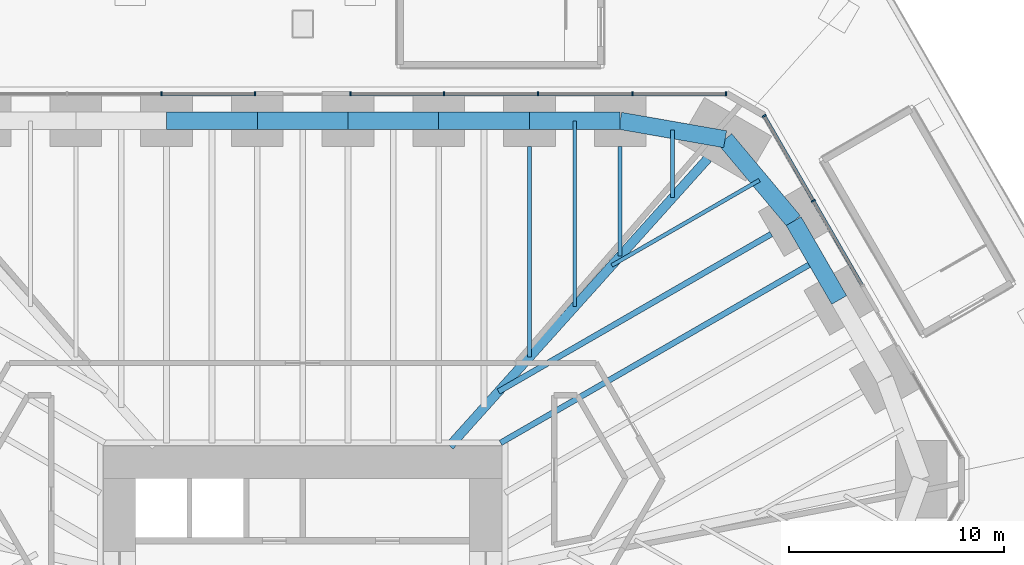
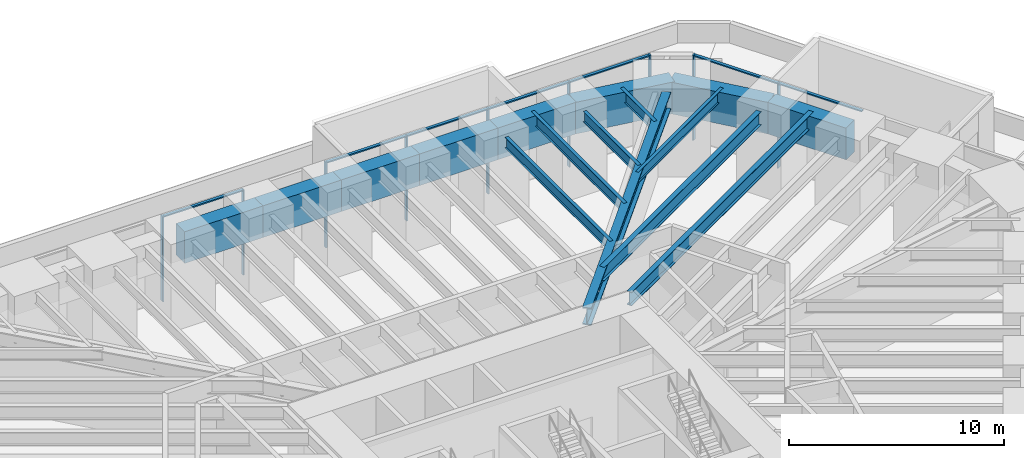
# One storey, part 7 of 20: 16 beams, 16 members, 3 elements without a shape of their own.
"""IFC4 building model written with IfcOpenShell, lengths in metres."""

from ifc_helpers import new_model, si_unit, direction, frame, origin, origin_2d, place, context, subcontext, project, spatial, rectangle, i_section, extrude, material, material_profile, profile_set, type_object, element, aggregate, save


model = new_model("IFC4")

# Units and contexts
model_context = context("Model", 3, precision=1e-05, world=origin(), true_north=direction((0.0, 1.0)))
body_context = subcontext(model_context, "Body", "Model", "MODEL_VIEW")
ifc_project = project(units=[si_unit("LENGTHUNIT", "METRE"), si_unit("AREAUNIT", "SQUARE_METRE"), si_unit("VOLUMEUNIT", "CUBIC_METRE"), si_unit("PLANEANGLEUNIT", "RADIAN"), si_unit("MASSUNIT", "GRAM", prefix="KILO")], contexts=[model_context])

# Site, building, storey
site_placement = place(None, origin())
site = spatial("IfcSite", under=ifc_project, at=site_placement, CompositionType="ELEMENT")
building_placement = place(site_placement, origin())
building = spatial("IfcBuilding", under=site, at=building_placement, Name="Sandreach Pilgrim Tower", CompositionType="ELEMENT")
storey_placement = place(building_placement, frame((0.0, 0.0, 18.0)))
storey = spatial("IfcBuildingStorey", under=building, at=storey_placement, Name="L03", CompositionType="ELEMENT", Elevation=18.0)

# Curtain wall, members
ifc_material_1 = material(Name="Aluminium framed curtain wall", Category="aluminium")
curtain_wall_type = type_object("IfcCurtainWallType", Name="Podium storefront curtain wall", PredefinedType="NOTDEFINED", material=ifc_material_1)
curtain_wall_1_placement = place(storey_placement, origin())
curtain_wall_1 = element("IfcCurtainWall", 1, at=curtain_wall_1_placement, inside=storey, type_object=curtain_wall_type, Name="CW-P L03 NA", PredefinedType="NOTDEFINED")
ifc_material_2 = material(Name="Aluminium extrusion", Category="aluminium")
ifc_material_profile_1 = material_profile(ifc_material_2, rectangle(XDim=0.070068359375, YDim=0.199951171875, at=origin_2d()), Name="CW-PM 70X200")
ifc_profile_set_1 = profile_set([ifc_material_profile_1], Name="Aluminium extrusion")
member_type_1 = type_object("IfcMemberType", Name="CW-P mullion", PredefinedType="MULLION", material=ifc_profile_set_1)
member_1_placement = place(storey_placement, frame((-6.557373046875, 23.94873046875, 0.0), z_axis=(0.0, 0.0, 1.0), x_axis=(1.0, 0.0, 0.0)))
member_1 = element("IfcMember", 2, at=member_1_placement, type_object=member_type_1, Name="CW-P mullion 4", PredefinedType="MULLION", context=body_context, shape_type="SweptSolid", body=[
    extrude(rectangle(XDim=0.070068359375, YDim=0.199951171875, at=origin_2d()), origin(), (0.0, 0.0, 1.0), 4.840087890625),
])
member_2_placement = place(storey_placement, frame((-2.220703125, 23.94873046875, 0.0), z_axis=(0.0, 0.0, 1.0), x_axis=(1.0, 0.0, 0.0)))
member_2 = element("IfcMember", 3, at=member_2_placement, type_object=member_type_1, Name="CW-P mullion 5", PredefinedType="MULLION", context=body_context, shape_type="SweptSolid", body=[
    extrude(rectangle(XDim=0.070068359375, YDim=0.199951171875, at=origin_2d()), origin(), (0.0, 0.0, 1.0), 4.840087890625),
])

curtain_wall_2_placement = place(storey_placement, origin())
curtain_wall_2 = element("IfcCurtainWall", 4, at=curtain_wall_2_placement, inside=storey, type_object=curtain_wall_type, Name="CW-P L03 NB", PredefinedType="NOTDEFINED")
member_3_placement = place(storey_placement, frame((2.220703125, 23.94873046875, 0.0), z_axis=(0.0, 0.0, 1.0), x_axis=(1.0, 0.0, 0.0)))
member_3 = element("IfcMember", 5, at=member_3_placement, type_object=member_type_1, Name="CW-P mullion 1", PredefinedType="MULLION", context=body_context, shape_type="SweptSolid", body=[
    extrude(rectangle(XDim=0.070068359375, YDim=0.199951171875, at=origin_2d()), origin(), (0.0, 0.0, 1.0), 4.840087890625),
])
member_4_placement = place(storey_placement, frame((6.557373046875, 23.94873046875, 0.0), z_axis=(0.0, 0.0, 1.0), x_axis=(1.0, 0.0, 0.0)))
member_4 = element("IfcMember", 6, at=member_4_placement, type_object=member_type_1, Name="CW-P mullion 2", PredefinedType="MULLION", context=body_context, shape_type="SweptSolid", body=[
    extrude(rectangle(XDim=0.070068359375, YDim=0.199951171875, at=origin_2d()), origin(), (0.0, 0.0, 1.0), 4.840087890625),
])
member_5_placement = place(storey_placement, frame((10.928955078125, 23.94873046875, 0.0), z_axis=(0.0, 0.0, 1.0), x_axis=(1.0, 0.0, 0.0)))
member_5 = element("IfcMember", 7, at=member_5_placement, type_object=member_type_1, Name="CW-P mullion 3", PredefinedType="MULLION", context=body_context, shape_type="SweptSolid", body=[
    extrude(rectangle(XDim=0.070068359375, YDim=0.199951171875, at=origin_2d()), origin(), (0.0, 0.0, 1.0), 4.840087890625),
])
member_6_placement = place(storey_placement, frame((15.300537109375, 23.94873046875, 0.0), z_axis=(0.0, 0.0, 1.0), x_axis=(1.0, 0.0, 0.0)))
member_6 = element("IfcMember", 8, at=member_6_placement, type_object=member_type_1, Name="CW-P mullion 4", PredefinedType="MULLION", context=body_context, shape_type="SweptSolid", body=[
    extrude(rectangle(XDim=0.070068359375, YDim=0.199951171875, at=origin_2d()), origin(), (0.0, 0.0, 1.0), 4.840087890625),
])
member_7_placement = place(storey_placement, frame((19.63720703125, 23.94873046875, 0.0), z_axis=(0.0, 0.0, 1.0), x_axis=(1.0, 0.0, 0.0)))
member_7 = element("IfcMember", 9, at=member_7_placement, type_object=member_type_1, Name="CW-P mullion 5", PredefinedType="MULLION", context=body_context, shape_type="SweptSolid", body=[
    extrude(rectangle(XDim=0.070068359375, YDim=0.199951171875, at=origin_2d()), origin(), (0.0, 0.0, 1.0), 4.840087890625),
])

curtain_wall_3_placement = place(storey_placement, origin())
curtain_wall_3 = element("IfcCurtainWall", 10, at=curtain_wall_3_placement, inside=storey, type_object=curtain_wall_type, Name="CW-P L03 NEA", PredefinedType="NOTDEFINED")
member_8_placement = place(storey_placement, frame((21.421630859375, 22.91845703125, 0.0), z_axis=(0.0, 0.0, 1.0), x_axis=(0.5, -0.866025403784, 0.0)))
member_8 = element("IfcMember", 11, at=member_8_placement, type_object=member_type_1, Name="CW-P mullion 1", PredefinedType="MULLION", context=body_context, shape_type="SweptSolid", body=[
    extrude(rectangle(XDim=0.070068359375, YDim=0.199951171875, at=origin_2d()), origin(), (0.0, 0.0, 1.0), 4.840087890625),
])
member_9_placement = place(storey_placement, frame((23.697265625, 18.97705078125, 0.0), z_axis=(0.0, 0.0, 1.0), x_axis=(0.5, -0.866025403784, 0.0)))
member_9 = element("IfcMember", 12, at=member_9_placement, type_object=member_type_1, Name="CW-P mullion 2", PredefinedType="MULLION", context=body_context, shape_type="SweptSolid", body=[
    extrude(rectangle(XDim=0.070068359375, YDim=0.199951171875, at=origin_2d()), origin(), (0.0, 0.0, 1.0), 4.840087890625),
])

# Member
ifc_material_3 = material(Name="Aluminium extrusion", Category="aluminium")
ifc_material_profile_2 = material_profile(ifc_material_3, rectangle(XDim=0.159912109375, YDim=0.070068359375, at=origin_2d()), Name="CW-PT 160X70")
ifc_profile_set_2 = profile_set([ifc_material_profile_2], Name="Aluminium extrusion")
member_type_2 = type_object("IfcMemberType", Name="CW-P transom", PredefinedType="USERDEFINED", material=ifc_profile_set_2)
member_10_placement = place(storey_placement, frame((-6.5224609375, 23.94873046875, 4.804931640625), z_axis=(1.0, 0.0, 0.0), x_axis=(0.0, 1.0, 0.0)))
member_10 = element("IfcMember", 13, at=member_10_placement, type_object=member_type_2, Name="CW-P head transom 4", ObjectType="TRANSOM", PredefinedType="USERDEFINED", context=body_context, shape_type="SweptSolid", body=[
    extrude(rectangle(XDim=0.159912109375, YDim=0.070068359375, at=origin_2d()), origin(), (0.0, 0.0, 1.0), 4.2666015625),
])

aggregate(curtain_wall_1, [member_1, member_2, member_10])

member_11_placement = place(storey_placement, frame((2.255859375, 23.94873046875, 4.804931640625), z_axis=(1.0, 0.0, 0.0), x_axis=(0.0, 1.0, 0.0)))
member_11 = element("IfcMember", 14, at=member_11_placement, type_object=member_type_2, Name="CW-P head transom 1", ObjectType="TRANSOM", PredefinedType="USERDEFINED", context=body_context, shape_type="SweptSolid", body=[
    extrude(rectangle(XDim=0.159912109375, YDim=0.070068359375, at=origin_2d()), origin(), (0.0, 0.0, 1.0), 4.2666015625),
])

member_12_placement = place(storey_placement, frame((6.59228515625, 23.94873046875, 4.804931640625), z_axis=(1.0, 0.0, 0.0), x_axis=(0.0, 1.0, 0.0)))
member_12 = element("IfcMember", 15, at=member_12_placement, type_object=member_type_2, Name="CW-P head transom 2", ObjectType="TRANSOM", PredefinedType="USERDEFINED", context=body_context, shape_type="SweptSolid", body=[
    extrude(rectangle(XDim=0.159912109375, YDim=0.070068359375, at=origin_2d()), origin(), (0.0, 0.0, 1.0), 4.3017578125),
])

member_13_placement = place(storey_placement, frame((10.9638671875, 23.94873046875, 4.804931640625), z_axis=(1.0, 0.0, 0.0), x_axis=(0.0, 1.0, 0.0)))
member_13 = element("IfcMember", 16, at=member_13_placement, type_object=member_type_2, Name="CW-P head transom 3", ObjectType="TRANSOM", PredefinedType="USERDEFINED", context=body_context, shape_type="SweptSolid", body=[
    extrude(rectangle(XDim=0.159912109375, YDim=0.070068359375, at=origin_2d()), origin(), (0.0, 0.0, 1.0), 4.3017578125),
])

member_14_placement = place(storey_placement, frame((15.33544921875, 23.94873046875, 4.804931640625), z_axis=(1.0, 0.0, 0.0), x_axis=(0.0, 1.0, 0.0)))
member_14 = element("IfcMember", 17, at=member_14_placement, type_object=member_type_2, Name="CW-P head transom 4", ObjectType="TRANSOM", PredefinedType="USERDEFINED", context=body_context, shape_type="SweptSolid", body=[
    extrude(rectangle(XDim=0.159912109375, YDim=0.070068359375, at=origin_2d()), origin(), (0.0, 0.0, 1.0), 4.2666015625),
])

aggregate(curtain_wall_2, [member_3, member_4, member_5, member_6, member_7, member_11, member_12, member_13, member_14])

member_15_placement = place(storey_placement, frame((21.439208984375, 22.88818359375, 4.804931640625), z_axis=(0.49997712252, -0.866038611701, 0.0), x_axis=(0.866038611701, 0.49997712252, 0.0)))
member_15 = element("IfcMember", 18, at=member_15_placement, type_object=member_type_2, Name="CW-P head transom 1", ObjectType="TRANSOM", PredefinedType="USERDEFINED", context=body_context, shape_type="SweptSolid", body=[
    extrude(rectangle(XDim=0.159912109375, YDim=0.070068359375, at=origin_2d()), origin(), (0.0, 0.0, 1.0), 4.481201171875),
])

member_16_placement = place(storey_placement, frame((23.714599609375, 18.94677734375, 4.804931640625), z_axis=(0.500000713928, -0.866024991597, 0.0), x_axis=(0.866024991597, 0.500000713928, 0.0)))
member_16 = element("IfcMember", 19, at=member_16_placement, type_object=member_type_2, Name="CW-P head transom 2", ObjectType="TRANSOM", PredefinedType="USERDEFINED", context=body_context, shape_type="SweptSolid", body=[
    extrude(rectangle(XDim=0.159912109375, YDim=0.070068359375, at=origin_2d()), origin(), (0.0, 0.0, 1.0), 4.48095703125),
])

aggregate(curtain_wall_3, [member_8, member_9, member_15, member_16])

# Beams
ifc_material_4 = material(Name="Steel ASTM A992 Grade 50", Category="steel")
ifc_material_profile_3 = material_profile(ifc_material_4, i_section(OverallWidth=0.431884765625, OverallDepth=0.988037109375, WebThickness=0.034423828125, FlangeThickness=0.06201171875, at=origin_2d()), Name="W36X441")
ifc_profile_set_3 = profile_set([ifc_material_profile_3], Name="Steel ASTM A992 Grade 50")
beam_type_1 = type_object("IfcBeamType", Name="Corner girder W36X441", PredefinedType="BEAM", material=ifc_profile_set_3)
beam_1_placement = place(storey_placement, frame((18.8046875, 20.94189453125, 4.345947265625), z_axis=(-0.668127834846, -0.74404650144, 0.0), x_axis=(0.74404650144, -0.668127834846, 0.0)))
element("IfcBeam", 20, at=beam_1_placement, inside=storey, type_object=beam_type_1, Name="BM L03 CG09", PredefinedType="BEAM", context=body_context, shape_type="SweptSolid", body=[
    extrude(i_section(OverallWidth=0.431884765625, OverallDepth=0.988037109375, WebThickness=0.034423828125, FlangeThickness=0.06201171875, at=origin_2d()), origin(), (0.0, 0.0, 1.0), 17.931396484375),
])
ifc_material_5 = material(Name="Steel ASTM A992 Grade 50", Category="steel")
ifc_material_profile_4 = material_profile(ifc_material_5, i_section(OverallWidth=0.1787109375, OverallDepth=0.60205078125, WebThickness=0.010986328125, FlangeThickness=0.014892578125, at=origin_2d()), Name="W24X62")
ifc_profile_set_4 = profile_set([ifc_material_profile_4], Name="Steel ASTM A992 Grade 50")
beam_type_2 = type_object("IfcBeamType", Name="Floor beam W24X62", PredefinedType="BEAM", material=ifc_profile_set_4)
beam_2_placement = place(storey_placement, frame((10.52490234375, 21.48876953125, 4.5390625), z_axis=(0.0, -1.0, 0.0), x_axis=(1.0, 0.0, 0.0)))
element("IfcBeam", 21, at=beam_2_placement, inside=storey, type_object=beam_type_2, Name="BM L03 F07", PredefinedType="BEAM", context=body_context, shape_type="SweptSolid", body=[
    extrude(i_section(OverallWidth=0.1787109375, OverallDepth=0.60205078125, WebThickness=0.010986328125, FlangeThickness=0.014892578125, at=origin_2d()), origin(), (0.0, 0.0, 1.0), 9.767822265625),
])
beam_3_placement = place(storey_placement, frame((14.734619140625, 21.48876953125, 4.5390625), z_axis=(0.0, -1.0, 0.0), x_axis=(1.0, 0.0, 0.0)))
element("IfcBeam", 22, at=beam_3_placement, inside=storey, type_object=beam_type_2, Name="BM L03 F08", PredefinedType="BEAM", context=body_context, shape_type="SweptSolid", body=[
    extrude(i_section(OverallWidth=0.1787109375, OverallDepth=0.60205078125, WebThickness=0.010986328125, FlangeThickness=0.014892578125, at=origin_2d()), origin(), (0.0, 0.0, 1.0), 5.079345703125),
])
beam_4_placement = place(storey_placement, frame((12.629638671875, 22.688720703125, 4.5390625), z_axis=(0.0, -1.0, 0.0), x_axis=(1.0, 0.0, 0.0)))
element("IfcBeam", 23, at=beam_4_placement, inside=storey, type_object=beam_type_2, Name="BM L03 FM07", PredefinedType="BEAM", context=body_context, shape_type="SweptSolid", body=[
    extrude(i_section(OverallWidth=0.1787109375, OverallDepth=0.60205078125, WebThickness=0.010986328125, FlangeThickness=0.014892578125, at=origin_2d()), origin(), (0.0, 0.0, 1.0), 8.62353515625),
])
beam_5_placement = place(storey_placement, frame((17.17041015625, 22.26171875, 4.5390625), z_axis=(0.0, -1.0, 0.0), x_axis=(1.0, 0.0, 0.0)))
element("IfcBeam", 24, at=beam_5_placement, inside=storey, type_object=beam_type_2, Name="BM L03 FM08", PredefinedType="BEAM", context=body_context, shape_type="SweptSolid", body=[
    extrude(i_section(OverallWidth=0.1787109375, OverallDepth=0.60205078125, WebThickness=0.010986328125, FlangeThickness=0.014892578125, at=origin_2d()), origin(), (0.0, 0.0, 1.0), 3.1396484375),
])
beam_6_placement = place(storey_placement, frame((21.197021484375, 19.933349609375, 4.5390625), z_axis=(-0.866028778003, -0.499994155636, 0.0), x_axis=(0.499994155636, -0.866028778003, 0.0)))
element("IfcBeam", 25, at=beam_6_placement, inside=storey, type_object=beam_type_2, Name="BM L03 FM09", PredefinedType="BEAM", context=body_context, shape_type="SweptSolid", body=[
    extrude(i_section(OverallWidth=0.1787109375, OverallDepth=0.60205078125, WebThickness=0.010986328125, FlangeThickness=0.014892578125, at=origin_2d()), origin(), (0.0, 0.0, 1.0), 7.90771484375),
])
ifc_material_6 = material(Name="Steel ASTM A992 Grade 50", Category="steel")
ifc_material_profile_5 = material_profile(ifc_material_6, i_section(OverallWidth=0.2666015625, OverallDepth=0.761962890625, WebThickness=0.014404296875, FlangeThickness=0.021484375, at=origin_2d()), Name="W30X116")
ifc_profile_set_5 = profile_set([ifc_material_profile_5], Name="Steel ASTM A992 Grade 50")
beam_type_3 = type_object("IfcBeamType", Name="Floor beam W30X116", PredefinedType="BEAM", material=ifc_profile_set_5)
beam_7_placement = place(storey_placement, frame((21.74853515625, 17.43212890625, 4.458984375), z_axis=(-0.866020355572, -0.500008743658, 0.0), x_axis=(0.500008743658, -0.866020355572, 0.0)))
element("IfcBeam", 26, at=beam_7_placement, inside=storey, type_object=beam_type_3, Name="BM L03 F10", PredefinedType="BEAM", context=body_context, shape_type="SweptSolid", body=[
    extrude(i_section(OverallWidth=0.2666015625, OverallDepth=0.761962890625, WebThickness=0.014404296875, FlangeThickness=0.021484375, at=origin_2d()), origin(), (0.0, 0.0, 1.0), 14.615966796875),
])
ifc_material_7 = material(Name="Steel ASTM A992 Grade 50", Category="steel")
ifc_material_profile_6 = material_profile(ifc_material_7, i_section(OverallWidth=0.2666015625, OverallDepth=0.77978515625, WebThickness=0.0166015625, FlangeThickness=0.030029296875, at=origin_2d()), Name="W30X148")
ifc_profile_set_6 = profile_set([ifc_material_profile_6], Name="Steel ASTM A992 Grade 50")
beam_type_4 = type_object("IfcBeamType", Name="Floor beam W30X148", PredefinedType="BEAM", material=ifc_profile_set_6)
beam_8_placement = place(storey_placement, frame((23.843505859375, 16.203857421875, 4.4501953125), z_axis=(-0.866027248123, -0.499996805499, 0.0), x_axis=(0.499996805499, -0.866027248123, 0.0)))
element("IfcBeam", 27, at=beam_8_placement, inside=storey, type_object=beam_type_4, Name="BM L03 FM10", PredefinedType="BEAM", context=body_context, shape_type="SweptSolid", body=[
    extrude(i_section(OverallWidth=0.2666015625, OverallDepth=0.77978515625, WebThickness=0.0166015625, FlangeThickness=0.030029296875, at=origin_2d()), origin(), (0.0, 0.0, 1.0), 16.9208984375),
])
ifc_material_8 = material(Name="Concrete 10000 psi", Category="concrete")
ifc_material_profile_7 = material_profile(ifc_material_8, rectangle(XDim=0.800048828125, YDim=1.800048828125, at=origin_2d()), Name="RC800X1800")
ifc_profile_set_7 = profile_set([ifc_material_profile_7], Name="Concrete 10000 psi")
beam_type_5 = type_object("IfcBeamType", Name="Spandrel beam RC800X1800", PredefinedType="SPANDREL", material=ifc_profile_set_7)
for number, where, z_axis, x_axis, name in (
    (28, (-6.31494140625, 22.688720703125, 3.93994140625), (1.0, 0.0, 0.0), (0.0, 1.0, 0.0), "BM L03 SP03"),
    (29, (-2.10498046875, 22.688720703125, 3.93994140625), (1.0, 0.0, 0.0), (0.0, 1.0, 0.0), "BM L03 SP04"),
    (30, (2.10498046875, 22.688720703125, 3.93994140625), (1.0, 0.0, 0.0), (0.0, 1.0, 0.0), "BM L03 SP05"),
    (31, (6.31494140625, 22.688720703125, 3.93994140625), (1.0, 0.0, 0.0), (0.0, 1.0, 0.0), "BM L03 SP06"),
):
    element("IfcBeam", number, at=place(storey_placement, frame(where, z_axis=z_axis, x_axis=x_axis)), inside=storey, type_object=beam_type_5, Name=name, PredefinedType="SPANDREL", context=body_context, shape_type="SweptSolid", body=[
        extrude(rectangle(XDim=0.800048828125, YDim=1.800048828125, at=origin_2d()), origin(), (0.0, 0.0, 1.0), 4.2099609375),
    ])
beam_9_placement = place(storey_placement, frame((10.52490234375, 22.688720703125, 3.93994140625), z_axis=(1.0, 0.0, 0.0), x_axis=(0.0, 1.0, 0.0)))
element("IfcBeam", 32, at=beam_9_placement, inside=storey, type_object=beam_type_5, Name="BM L03 SP07", PredefinedType="SPANDREL", context=body_context, shape_type="SweptSolid", body=[
    extrude(rectangle(XDim=0.800048828125, YDim=1.800048828125, at=origin_2d()), origin(), (0.0, 0.0, 1.0), 4.209716796875),
])
beam_10_placement = place(storey_placement, frame((14.734619140625, 22.688720703125, 3.93994140625), z_axis=(0.984981186582, -0.172661698355, 0.0), x_axis=(0.172661698355, 0.984981186582, 0.0)))
element("IfcBeam", 33, at=beam_10_placement, inside=storey, type_object=beam_type_5, Name="BM L03 SP08", PredefinedType="SPANDREL", context=body_context, shape_type="SweptSolid", body=[
    extrude(rectangle(XDim=0.800048828125, YDim=1.800048828125, at=origin_2d()), origin(), (0.0, 0.0, 1.0), 4.946044921875),
])
beam_11_placement = place(storey_placement, frame((19.6064453125, 21.834716796875, 3.93994140625), z_axis=(0.641665295114, -0.766984777584, 0.0), x_axis=(0.766984777584, 0.641665295114, 0.0)))
element("IfcBeam", 34, at=beam_11_placement, inside=storey, type_object=beam_type_5, Name="BM L03 SP09", PredefinedType="SPANDREL", context=body_context, shape_type="SweptSolid", body=[
    extrude(rectangle(XDim=0.800048828125, YDim=1.800048828125, at=origin_2d()), origin(), (0.0, 0.0, 1.0), 4.9580078125),
])
beam_12_placement = place(storey_placement, frame((22.787841796875, 18.031982421875, 3.93994140625), z_axis=(0.500001084989, -0.866024777365, 0.0), x_axis=(0.866024777365, 0.500001084989, 0.0)))
element("IfcBeam", 35, at=beam_12_placement, inside=storey, type_object=beam_type_5, Name="BM L03 SP10", PredefinedType="SPANDREL", context=body_context, shape_type="SweptSolid", body=[
    extrude(rectangle(XDim=0.800048828125, YDim=1.800048828125, at=origin_2d()), origin(), (0.0, 0.0, 1.0), 4.22216796875),
])

save(model, "model.ifc")
